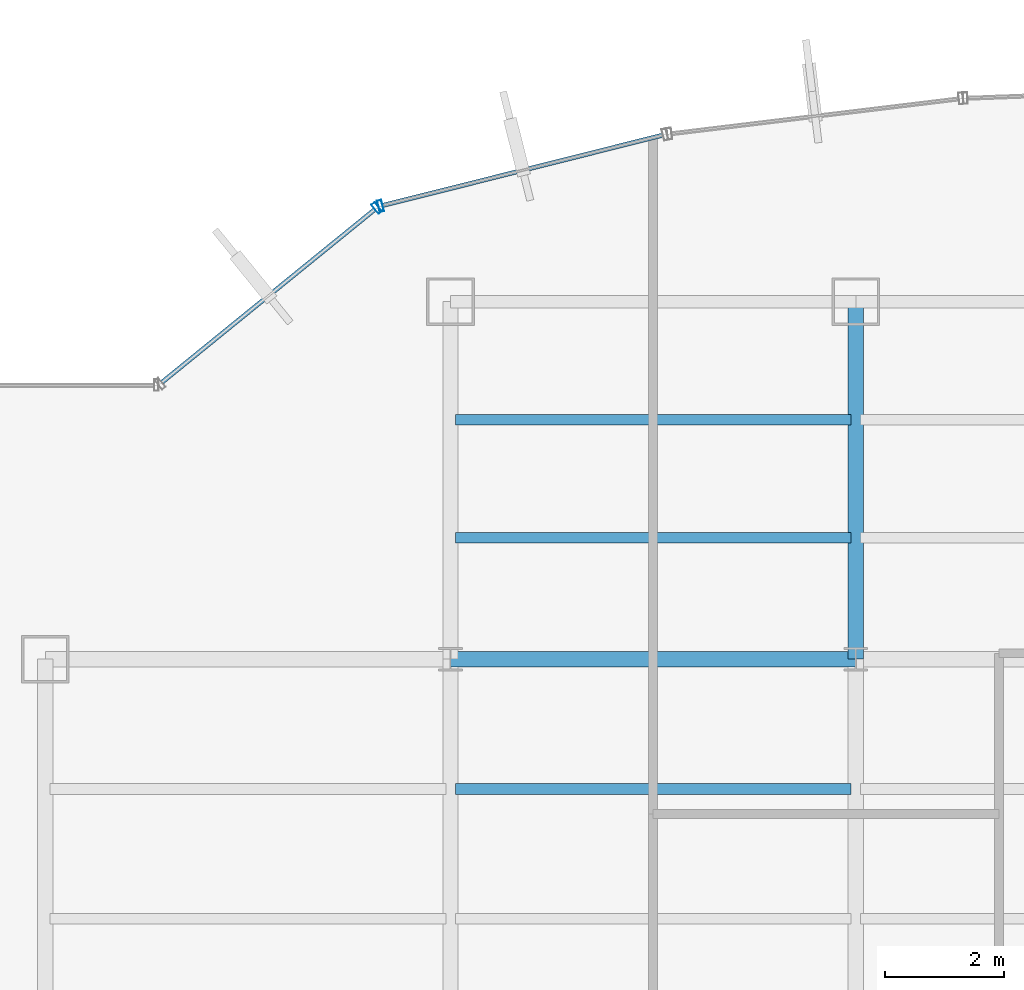
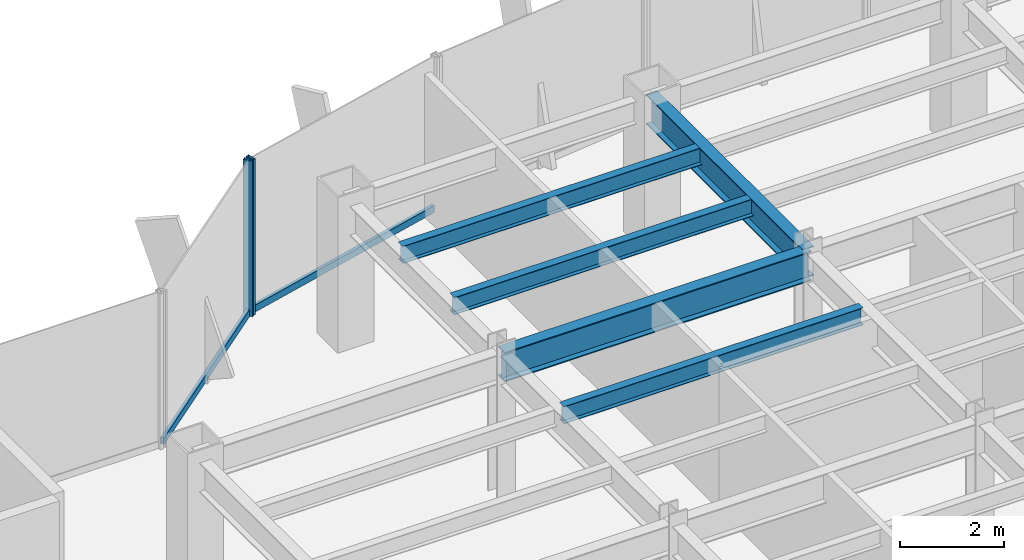
# One storey, part 14 of 26: 5 beams, 4 members, 2 elements without a shape of their own.
"""IFC4 building model written with IfcOpenShell, lengths in metres."""

from ifc_helpers import new_model, si_unit, derived_unit, direction, frame, origin, origin_2d, place, context, subcontext, project, spatial, hollow_rectangle, i_section, extrude, source, transform, mapped, material, material_profile, profile_set, type_object, element, aggregate, save


model = new_model("IFC4")

# Units and contexts
model_context = context("Model", 3, precision=1e-05, world=origin(), true_north=direction((0.0, 1.0)))
body_context = subcontext(model_context, "Body", "Model", "MODEL_VIEW")
ifc_project = project(units=[si_unit("LENGTHUNIT", "METRE"), si_unit("AREAUNIT", "SQUARE_METRE"), si_unit("VOLUMEUNIT", "CUBIC_METRE"), si_unit("PLANEANGLEUNIT", "RADIAN"), si_unit("MASSUNIT", "GRAM", prefix="KILO"), derived_unit("THERMALTRANSMITTANCEUNIT", [(si_unit("POWERUNIT", "WATT"), 1), (si_unit("LENGTHUNIT", "METRE"), -2), (si_unit("THERMODYNAMICTEMPERATUREUNIT", "KELVIN"), -1)])], contexts=[model_context])

# Site, building, storey
site_placement = place(None, origin())
site = spatial("IfcSite", under=ifc_project, at=site_placement, CompositionType="ELEMENT")
building_placement = place(site_placement, origin())
building = spatial("IfcBuilding", under=site, at=building_placement, Name="Skarnbrae Concourse Arena and Tower", CompositionType="ELEMENT")
storey_placement = place(building_placement, frame((0.0, 0.0, 132.449951171875)))
storey = spatial("IfcBuildingStorey", under=building, at=storey_placement, Name="L33", CompositionType="ELEMENT", Elevation=132.449951171875)

# Beams
ifc_material_1 = material(Name="Steel CSA G40.21 350W", Category="steel")
ifc_material_profile_1 = material_profile(ifc_material_1, i_section(OverallWidth=0.256103515625, OverallDepth=0.693115234375, WebThickness=0.014404296875, FlangeThickness=0.023681640625, at=origin_2d()), Name="W690X170")
ifc_profile_set_1 = profile_set([ifc_material_profile_1], Name="Steel CSA G40.21 350W")
beam_type_1 = type_object("IfcBeamType", Name="BM-GIRD-W690X170", PredefinedType="BEAM", material=ifc_profile_set_1)
shared_shape_1 = source(origin(), body_context, "Body", "SweptSolid", [
    extrude(i_section(OverallWidth=0.256103515625, OverallDepth=0.693115234375, WebThickness=0.014404296875, FlangeThickness=0.023681640625, at=origin_2d()), origin(), (0.0, 0.0, 1.0), 6.800048828125),
])
beam_1_placement = place(storey_placement, frame((14.39990234375, 34.39990234375, 3.003662109375), z_axis=(1.0, 0.0, 0.0), x_axis=(0.0, 1.0, 0.0)))
element("IfcBeam", 1, at=beam_1_placement, inside=storey, type_object=beam_type_1, Name="L33 Primary E-W girder Y34.4-2", PredefinedType="BEAM", context=body_context, shape_type="MappedRepresentation", body=[
    mapped(shared_shape_1, transform((0.0, 0.0, 0.0))),
])
shared_shape_2 = source(origin(), body_context, "Body", "SweptSolid", [
    extrude(i_section(OverallWidth=0.256103515625, OverallDepth=0.693115234375, WebThickness=0.014404296875, FlangeThickness=0.023681640625, at=origin_2d()), origin(), (0.0, 0.0, 1.0), 6.0),
])
beam_2_placement = place(storey_placement, frame((21.199951171875, 34.39990234375, 3.003662109375), z_axis=(0.0, 1.0, 0.0), x_axis=(-1.0, 0.0, 0.0)))
element("IfcBeam", 2, at=beam_2_placement, inside=storey, type_object=beam_type_1, Name="L33 Primary N-S girder X21.2-4", PredefinedType="BEAM", context=body_context, shape_type="MappedRepresentation", body=[
    mapped(shared_shape_2, transform((0.0, 0.0, 0.0))),
])
ifc_material_profile_2 = material_profile(ifc_material_1, i_section(OverallWidth=0.177978515625, OverallDepth=0.406982421875, WebThickness=0.0078125, FlangeThickness=0.0126953125, at=origin_2d()), Name="W410X60")
ifc_profile_set_2 = profile_set([ifc_material_profile_2], Name="Steel CSA G40.21 350W")
beam_type_2 = type_object("IfcBeamType", Name="BM-JOIST-W410X60", PredefinedType="JOIST", material=ifc_profile_set_2)
shared_shape_3 = source(origin(), body_context, "Body", "SweptSolid", [
    extrude(i_section(OverallWidth=0.177978515625, OverallDepth=0.406982421875, WebThickness=0.0078125, FlangeThickness=0.0126953125, at=origin_2d()), origin(), (0.0, 0.0, 1.0), 6.64013671875),
])
for number, where, z_axis, x_axis, name in (
    (3, (14.47998046875, 32.221923828125, 3.146484375), (1.0, 0.0, 0.0), (0.0, 1.0, 0.0), "L33 Secondary floor joist 3.2.2"),
    (4, (14.47998046875, 36.43994140625, 3.146484375), (1.0, 0.0, 0.0), (0.0, 1.0, 0.0), "L33 Secondary floor joist 4.1.1"),
    (5, (14.47998046875, 38.419921875, 3.146484375), (1.0, 0.0, 0.0), (0.0, 1.0, 0.0), "L33 Secondary floor joist 4.2.1"),
):
    element("IfcBeam", number, at=place(storey_placement, frame(where, z_axis=z_axis, x_axis=x_axis)), inside=storey, type_object=beam_type_2, Name=name, PredefinedType="JOIST", context=body_context, shape_type="MappedRepresentation", body=[
        mapped(shared_shape_3, transform((0.0, 0.0, 0.0))),
    ])

# Curtain wall, member
ifc_material_2 = material(Name="Bronze anodised aluminium 6063-T6", Category="aluminium")
curtain_wall_type = type_object("IfcCurtainWallType", Name="CW-SYS-04-MIDZONE", PredefinedType="USERDEFINED", material=ifc_material_2)
curtain_wall_1_placement = place(storey_placement, origin())
curtain_wall_1 = element("IfcCurtainWall", 6, at=curtain_wall_1_placement, inside=storey, type_object=curtain_wall_type, Name="L33 Unitised curtain wall CW-L33-E14", ObjectType="UNITISED CURTAIN WALL", PredefinedType="USERDEFINED")
ifc_material_profile_3 = material_profile(ifc_material_2, hollow_rectangle(XDim=0.074951171875, YDim=0.195068359375, WallThickness=0.00439453125, at=origin_2d()), Name="ALU-MULL-75X195")
ifc_profile_set_3 = profile_set([ifc_material_profile_3], Name="Bronze anodised aluminium 6063-T6")
member_type_1 = type_object("IfcMemberType", Name="CWM-CW-04", PredefinedType="MULLION", material=ifc_profile_set_3)
shared_shape_4 = source(origin(), body_context, "Body", "SweptSolid", [
    extrude(hollow_rectangle(XDim=0.074951171875, YDim=0.195068359375, WallThickness=0.00439453125, at=origin_2d()), origin(), (0.0, 0.0, 1.0), 3.650146484375),
])
member_1_placement = place(storey_placement, frame((13.225341796875, 42.005126953125, 0.0), z_axis=(0.0, 0.0, 1.0), x_axis=(-0.969903046166, -0.243491439351, 0.0)))
member_1 = element("IfcMember", 7, at=member_1_placement, type_object=member_type_1, Name="CW-L33-E14 Mullion 2", PredefinedType="MULLION", context=body_context, shape_type="MappedRepresentation", body=[
    mapped(shared_shape_4, transform((0.0, 0.0, 0.0))),
])

# Curtain wall, members
curtain_wall_2_placement = place(storey_placement, origin())
curtain_wall_2 = element("IfcCurtainWall", 8, at=curtain_wall_2_placement, inside=storey, type_object=curtain_wall_type, Name="L33 Unitised curtain wall CW-L33-E15", ObjectType="UNITISED CURTAIN WALL", PredefinedType="USERDEFINED")
member_2_placement = place(storey_placement, frame((13.159912109375, 41.972412109375, 0.0), z_axis=(0.0, 0.0, 1.0), x_axis=(-0.776241200471, -0.630436038542, 0.0)))
member_2 = element("IfcMember", 9, at=member_2_placement, type_object=member_type_1, Name="CW-L33-E15 Mullion 1", PredefinedType="MULLION", context=body_context, shape_type="MappedRepresentation", body=[
    mapped(shared_shape_4, transform((0.0, 0.0, 0.0))),
])
ifc_material_profile_4 = material_profile(ifc_material_2, hollow_rectangle(XDim=0.074951171875, YDim=0.159912109375, WallThickness=0.00439453125, at=origin_2d()), Name="ALU-TRAN-75X160")
ifc_profile_set_4 = profile_set([ifc_material_profile_4], Name="Bronze anodised aluminium 6063-T6")
member_type_2 = type_object("IfcMemberType", Name="CWT-CW-04", PredefinedType="USERDEFINED", material=ifc_profile_set_4)
shared_shape_5 = source(origin(), body_context, "Body", "SweptSolid", [
    extrude(hollow_rectangle(XDim=0.074951171875, YDim=0.159912109375, WallThickness=0.00439453125, at=origin_2d()), origin(), (0.0, 0.0, 1.0), 4.602294921875),
])
member_3_placement = place(storey_placement, frame((13.130615234375, 41.94873046875, 0.080078125), z_axis=(-0.776251906445, -0.630422856297, 0.0), x_axis=(0.630422856297, -0.776251906445, 0.0)))
member_3 = element("IfcMember", 10, at=member_3_placement, type_object=member_type_2, Name="CW-L33-E15 Transom 1", ObjectType="TRANSOM", PredefinedType="USERDEFINED", context=body_context, shape_type="MappedRepresentation", body=[
    mapped(shared_shape_5, transform((0.0, 0.0, 0.0))),
])
aggregate(curtain_wall_2, [member_2, member_3])

# Member
shared_shape_6 = source(origin(), body_context, "Body", "SweptSolid", [
    extrude(hollow_rectangle(XDim=0.074951171875, YDim=0.159912109375, WallThickness=0.00439453125, at=origin_2d()), origin(), (0.0, 0.0, 1.0), 4.84716796875),
])
member_4_placement = place(storey_placement, frame((17.963134765625, 43.194580078125, 0.080078125), z_axis=(-0.969907992238, -0.243471736744, 0.0), x_axis=(0.243471736744, -0.969907992238, 0.0)))
member_4 = element("IfcMember", 11, at=member_4_placement, type_object=member_type_2, Name="CW-L33-E14 Transom 1", ObjectType="TRANSOM", PredefinedType="USERDEFINED", context=body_context, shape_type="MappedRepresentation", body=[
    mapped(shared_shape_6, transform((0.0, 0.0, 0.0))),
])

aggregate(curtain_wall_1, [member_1, member_4])

save(model, "model.ifc")
